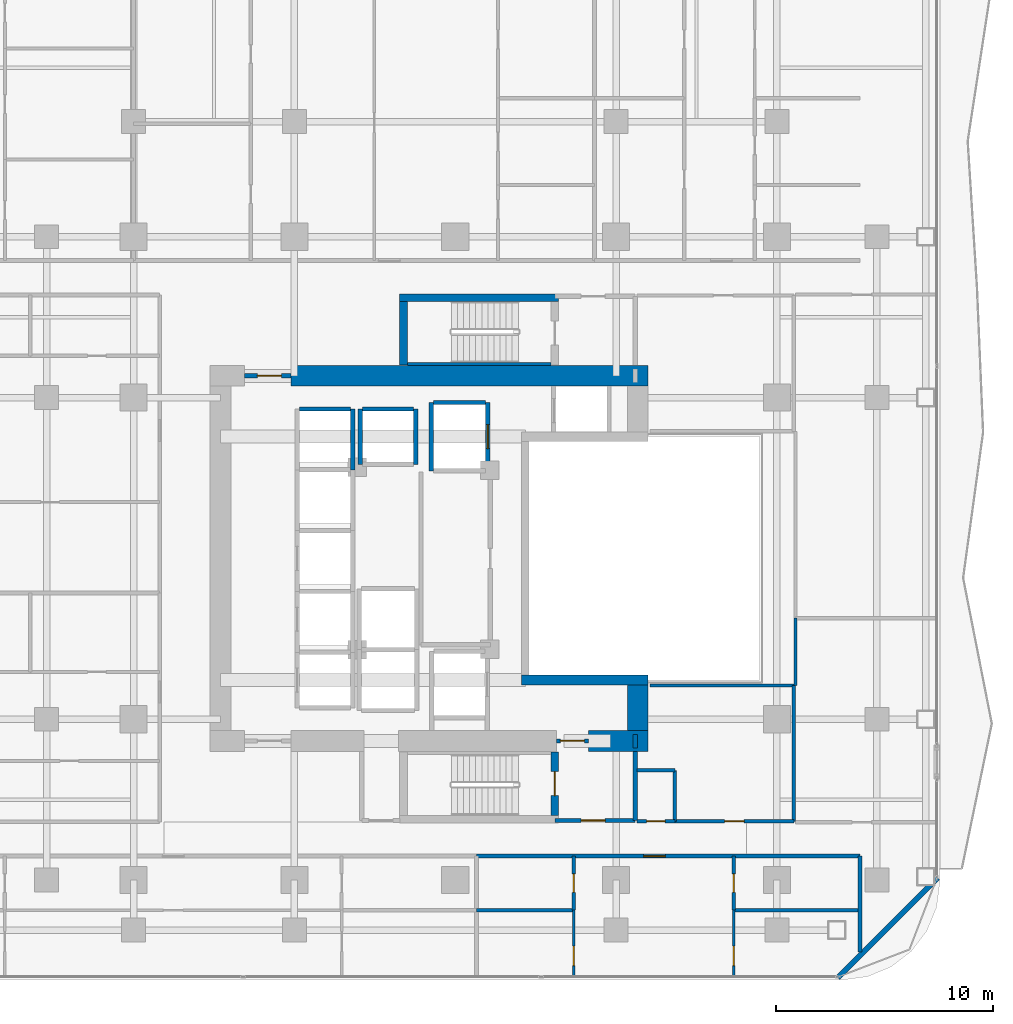
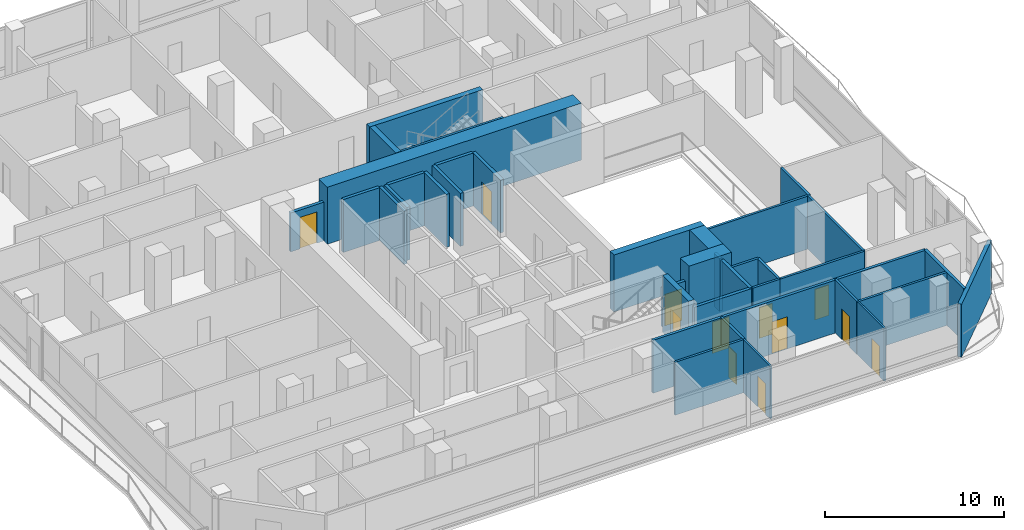
# One storey, part 21 of 28: 37 walls, 12 doors, 12 openings.
"""IFC4 building model written with IfcOpenShell, lengths in metres."""

from ifc_helpers import new_model, si_unit, direction, frame, frame_2d, origin, place, context, subcontext, project, spatial, rectangle, extrude, material, layer, layer_set, type_object, element, fill, save


model = new_model("IFC4")

# Units and contexts
model_context = context("Model", 3, precision=1e-05, world=origin(), true_north=direction((0.0, 1.0)))
body_context = subcontext(model_context, "Body", "Model", "MODEL_VIEW")
ifc_project = project(units=[si_unit("LENGTHUNIT", "METRE"), si_unit("AREAUNIT", "SQUARE_METRE"), si_unit("VOLUMEUNIT", "CUBIC_METRE"), si_unit("PLANEANGLEUNIT", "RADIAN"), si_unit("MASSUNIT", "GRAM", prefix="KILO")], contexts=[model_context])

# Site, building, storey
site_placement = place(None, origin())
site = spatial("IfcSite", under=ifc_project, at=site_placement, CompositionType="ELEMENT")
building_placement = place(site_placement, origin())
building = spatial("IfcBuilding", under=site, at=building_placement, Name="Khorvyn Point Tower", CompositionType="ELEMENT")
storey_placement = place(building_placement, frame((0.0, 0.0, 104.699951171875)))
storey = spatial("IfcBuildingStorey", under=building, at=storey_placement, Name="L26", CompositionType="ELEMENT", Elevation=104.699951171875)

# Wall, opening, door
ifc_material_1 = material(Name="Double acoustic gypsum on twin steel stud", Category="steel")
ifc_layer_1 = layer(ifc_material_1, 0.179931640625)
ifc_layer_set_1 = layer_set([ifc_layer_1], Name="Acoustic Double-Stud Apartment Demising Wall 180")
wall_type_1 = type_object("IfcWallType", Name="Acoustic Double-Stud Apartment Demising Wall 180", PredefinedType="PARTITIONING", material=ifc_layer_set_1)
wall_1_placement = place(storey_placement, frame((0.97412109375, -13.699951171875, 0.0), z_axis=(0.0, 0.0, 1.0), x_axis=(1.0, 0.0, 0.0)))
wall_1 = element("IfcWall", 1, at=wall_1_placement, inside=storey, type_object=wall_type_1, Name="Wall", PredefinedType="PARTITIONING", context=body_context, shape_type="SweptSolid", body=[
    extrude(rectangle(XDim=17.64599609375, YDim=0.179931640625, at=frame_2d((8.822998046875, 0.0))), origin(), (0.0, 0.0, 1.0), 3.6201171875),
])
opening_1_placement = place(wall_1_placement, frame((7.695068359375, 0.0, 0.0)))
opening_1 = element("IfcOpeningElement", 2, at=opening_1_placement, cuts=wall_1, Name="Opening ID-AP60", PredefinedType="OPENING", context=body_context, shape_type="SweptSolid", body=[
    extrude(rectangle(XDim=1.0, YDim=2.199951171875, at=frame_2d((0.5, 1.10009765625))), frame((0.0, 0.099853515625, 0.0), z_axis=(0.0, -1.0, 0.0), x_axis=(1.0, 0.0, 0.0)), (0.0, 0.0, 1.0), 0.199951171875),
])
ifc_material_2 = material(Name="Engineered hardwood fire-rated leaf", Category="wood")
door_type_1 = type_object("IfcDoorType", Name="Acoustic Solid-Core Timber Apartment Entrance Door 1000x2200", OperationType="NOTDEFINED", PredefinedType="DOOR", material=ifc_material_2)
door_1_placement = place(opening_1_placement, origin())
door_1 = element("IfcDoor", 3, at=door_1_placement, inside=storey, type_object=door_type_1, Name="Door", OperationType="SINGLE_SWING_RIGHT", OverallHeight=2.199951171875, OverallWidth=1.0, PredefinedType="DOOR", context=body_context, shape_type="SweptSolid", body=[
    extrude(rectangle(XDim=1.0, YDim=2.199951171875, at=frame_2d((0.5, 1.10009765625))), frame((0.0, 0.02490234375, 0.0), z_axis=(0.0, -1.0, 0.0), x_axis=(1.0, 0.0, 0.0)), (0.0, 0.0, 1.0), 0.050048828125),
])
fill(opening_1, door_1)

# Walls
wall_2_placement = place(storey_placement, frame((18.6201171875, -18.110107421875, 0.0), z_axis=(0.0, 0.0, 1.0), x_axis=(0.0, 1.0, 0.0)))
element("IfcWall", 4, at=wall_2_placement, inside=storey, type_object=wall_type_1, Name="Wall", PredefinedType="PARTITIONING", context=body_context, shape_type="SweptSolid", body=[
    extrude(rectangle(XDim=4.41015625, YDim=0.179931640625, at=frame_2d((2.205078125, 0.0))), origin(), (0.0, 0.0, 1.0), 3.6201171875),
])
ifc_material_3 = material(Name="Pale anodised aluminium rainscreen on steel stud", Category="steel")
ifc_layer_2 = layer(ifc_material_3, 0.239990234375)
ifc_layer_set_2 = layer_set([ifc_layer_2], Name="Anodised Aluminium Insulated Corner Spandrel Wall 240")
wall_type_2 = type_object("IfcWallType", Name="Anodised Aluminium Insulated Corner Spandrel Wall 240", PredefinedType="SOLIDWALL", material=ifc_layer_set_2)
wall_3_placement = place(storey_placement, frame((22.1923828125, -14.70751953125, 0.0), z_axis=(0.0, 0.0, 1.0), x_axis=(-0.707087954376, -0.707125607496, 0.0)))
element("IfcWall", 5, at=wall_3_placement, inside=storey, type_object=wall_type_2, Name="L26 Rounded Corner Wall SE", PredefinedType="SOLIDWALL", context=body_context, shape_type="SweptSolid", body=[
    extrude(rectangle(XDim=6.48388671875, YDim=0.239990234375, at=frame_2d((3.241943359375, 0.0))), origin(), (0.0, 0.0, 1.0), 3.6201171875),
])
ifc_material_4 = material(Name="Concrete C40/50", Category="concrete")
ifc_layer_3 = layer(ifc_material_4, 0.449951171875)
ifc_layer_set_3 = layer_set([ifc_layer_3], Name="Concrete C40/50 Core Shear Wall 450")
wall_type_3 = type_object("IfcWallType", Name="Concrete C40/50 Core Shear Wall 450", PredefinedType="SHEAR", material=ifc_layer_set_3)
wall_4_placement = place(storey_placement, frame((3.044921875, -5.60009765625, 0.0), z_axis=(0.0, 0.0, 1.0), x_axis=(1.0, 0.0, 0.0)))
element("IfcWall", 6, at=wall_4_placement, inside=storey, type_object=wall_type_3, Name="Wall", PredefinedType="SHEAR", context=body_context, shape_type="SweptSolid", body=[
    extrude(rectangle(XDim=5.830078125, YDim=0.449951171875, at=frame_2d((2.9150390625, 0.0))), origin(), (0.0, 0.0, 1.0), 3.900146484375),
])

# Wall, opening, door
ifc_layer_4 = layer(ifc_material_4, 0.199951171875)
ifc_layer_set_4 = layer_set([ifc_layer_4], Name="Concrete C40/50 Fire-Lobby Compartment Wall 200")
wall_type_4 = type_object("IfcWallType", Name="Concrete C40/50 Fire-Lobby Compartment Wall 200", PredefinedType="SOLIDWALL", material=ifc_layer_set_4)
wall_5_placement = place(storey_placement, frame((4.580078125, -12.06005859375, 0.0), z_axis=(0.0, 0.0, 1.0), x_axis=(1.0, 0.0, 0.0)))
wall_5 = element("IfcWall", 7, at=wall_5_placement, inside=storey, type_object=wall_type_4, Name="Wall", PredefinedType="SOLIDWALL", context=body_context, shape_type="SweptSolid", body=[
    extrude(rectangle(XDim=3.699951171875, YDim=0.199951171875, at=frame_2d((1.85009765625, 0.0))), origin(), (0.0, 0.0, 1.0), 3.6201171875),
])
opening_2_placement = place(wall_5_placement, frame((1.21240234375, 0.0, 0.0)))
opening_2 = element("IfcOpeningElement", 8, at=opening_2_placement, cuts=wall_5, Name="Opening ID-FL90", PredefinedType="OPENING", context=body_context, shape_type="SweptSolid", body=[
    extrude(rectangle(XDim=1.10009765625, YDim=2.14990234375, at=frame_2d((0.550048828125, 1.074951171875))), frame((0.0, 0.10986328125, 0.0), z_axis=(0.0, -1.0, 0.0), x_axis=(1.0, 0.0, 0.0)), (0.0, 0.0, 1.0), 0.219970703125),
])
ifc_material_5 = material(Name="Galvanised powder-coated steel", Category="steel")
door_type_2 = type_object("IfcDoorType", Name="Fire-Rated Steel Lobby and Stair Door 1100x2150", OperationType="NOTDEFINED", PredefinedType="DOOR", material=ifc_material_5)
door_2_placement = place(opening_2_placement, origin())
door_2 = element("IfcDoor", 9, at=door_2_placement, inside=storey, type_object=door_type_2, Name="Door", OperationType="SINGLE_SWING_RIGHT", OverallHeight=2.14990234375, OverallWidth=1.10009765625, PredefinedType="DOOR", context=body_context, shape_type="SweptSolid", body=[
    extrude(rectangle(XDim=1.10009765625, YDim=2.14990234375, at=frame_2d((0.550048828125, 1.074951171875))), frame((0.0, 0.02490234375, 0.0), z_axis=(0.0, -1.0, 0.0), x_axis=(1.0, 0.0, 0.0)), (0.0, 0.0, 1.0), 0.050048828125),
])
fill(opening_2, door_2)

wall_6_placement = place(storey_placement, frame((4.64990234375, -8.39990234375, 0.0), z_axis=(0.0, 0.0, 1.0), x_axis=(1.0, 0.0, 0.0)))
wall_6 = element("IfcWall", 10, at=wall_6_placement, inside=storey, type_object=wall_type_4, Name="Wall", PredefinedType="SOLIDWALL", context=body_context, shape_type="SweptSolid", body=[
    extrude(rectangle(XDim=1.47021484375, YDim=0.199951171875, at=frame_2d((0.735107421875, 0.0))), origin(), (0.0, 0.0, 1.0), 2.66015625),
])
opening_3_placement = place(wall_6_placement, frame((0.18505859375, 0.0, 0.0)))
opening_3 = element("IfcOpeningElement", 11, at=opening_3_placement, cuts=wall_6, Name="Opening ID-FL90", PredefinedType="OPENING", context=body_context, shape_type="SweptSolid", body=[
    extrude(rectangle(XDim=1.10009765625, YDim=2.14990234375, at=frame_2d((0.550048828125, 1.074951171875))), frame((0.0, 0.10986328125, 0.0), z_axis=(0.0, -1.0, 0.0), x_axis=(1.0, 0.0, 0.0)), (0.0, 0.0, 1.0), 0.219970703125),
])
door_3_placement = place(opening_3_placement, origin())
door_3 = element("IfcDoor", 12, at=door_3_placement, inside=storey, type_object=door_type_2, Name="Door", OperationType="SINGLE_SWING_LEFT", OverallHeight=2.14990234375, OverallWidth=1.10009765625, PredefinedType="DOOR", context=body_context, shape_type="SweptSolid", body=[
    extrude(rectangle(XDim=1.10009765625, YDim=2.14990234375, at=frame_2d((0.550048828125, 1.074951171875))), frame((0.0, 0.02490234375, 0.0), z_axis=(0.0, -1.0, 0.0), x_axis=(1.0, 0.0, 0.0)), (0.0, 0.0, 1.0), 0.050048828125),
])
fill(opening_3, door_3)

wall_7_placement = place(storey_placement, frame((-9.699951171875, 8.39990234375, 0.0), z_axis=(0.0, 0.0, 1.0), x_axis=(1.0, 0.0, 0.0)))
wall_7 = element("IfcWall", 13, at=wall_7_placement, inside=storey, type_object=wall_type_4, Name="Wall", PredefinedType="SOLIDWALL", context=body_context, shape_type="SweptSolid", body=[
    extrude(rectangle(XDim=2.14990234375, YDim=0.199951171875, at=frame_2d((1.074951171875, 0.0))), origin(), (0.0, 0.0, 1.0), 2.66015625),
])
opening_4_placement = place(wall_7_placement, frame((0.597900390625, 0.0, 0.0)))
opening_4 = element("IfcOpeningElement", 14, at=opening_4_placement, cuts=wall_7, Name="Opening ID-FL90", PredefinedType="OPENING", context=body_context, shape_type="SweptSolid", body=[
    extrude(rectangle(XDim=1.10009765625, YDim=2.14990234375, at=frame_2d((0.550048828125, 1.074951171875))), frame((0.0, 0.10986328125, 0.0), z_axis=(0.0, -1.0, 0.0), x_axis=(1.0, 0.0, 0.0)), (0.0, 0.0, 1.0), 0.219970703125),
])
door_4_placement = place(opening_4_placement, origin())
door_4 = element("IfcDoor", 15, at=door_4_placement, inside=storey, type_object=door_type_2, Name="Door", OperationType="SINGLE_SWING_RIGHT", OverallHeight=2.14990234375, OverallWidth=1.10009765625, PredefinedType="DOOR", context=body_context, shape_type="SweptSolid", body=[
    extrude(rectangle(XDim=1.10009765625, YDim=2.14990234375, at=frame_2d((0.550048828125, 1.074951171875))), frame((0.0, 0.02490234375, 0.0), z_axis=(0.0, -1.0, 0.0), x_axis=(1.0, 0.0, 0.0)), (0.0, 0.0, 1.0), 0.050048828125),
])
fill(opening_4, door_4)

# Walls
wall_8_placement = place(storey_placement, frame((8.280029296875, -12.06005859375, 0.0), z_axis=(0.0, 0.0, 1.0), x_axis=(0.0, 1.0, 0.0)))
element("IfcWall", 16, at=wall_8_placement, inside=storey, type_object=wall_type_4, Name="Wall", PredefinedType="SOLIDWALL", context=body_context, shape_type="SweptSolid", body=[
    extrude(rectangle(XDim=3.18505859375, YDim=0.199951171875, at=frame_2d((1.592529296875, 0.0))), origin(), (0.0, 0.0, 1.0), 3.6201171875),
])
wall_9_placement = place(storey_placement, frame((8.280029296875, -8.72509765625, 0.0), z_axis=(0.0, 0.0, 1.0), x_axis=(0.0, 1.0, 0.0)))
element("IfcWall", 17, at=wall_9_placement, inside=storey, type_object=wall_type_4, Name="Wall", PredefinedType="SOLIDWALL", context=body_context, shape_type="SweptSolid", body=[
    extrude(rectangle(XDim=0.625, YDim=0.199951171875, at=frame_2d((0.3125, 0.0))), origin(), (0.0, 0.0, 1.0), 3.6201171875),
])
ifc_layer_5 = layer(ifc_material_4, 0.25)
ifc_layer_set_5 = layer_set([ifc_layer_5], Name="Concrete C40/50 Stair Inner Cheek Structural Wall 250")
wall_type_5 = type_object("IfcWallType", Name="Concrete C40/50 Stair Inner Cheek Structural Wall 250", PredefinedType="SHEAR", material=ifc_layer_set_5)
wall_10_placement = place(storey_placement, frame((-2.199951171875, 8.949951171875, 0.0), z_axis=(0.0, 0.0, 1.0), x_axis=(1.0, 0.0, 0.0)))
element("IfcWall", 18, at=wall_10_placement, inside=storey, type_object=wall_type_5, Name="Wall", PredefinedType="SHEAR", context=body_context, shape_type="SweptSolid", body=[
    extrude(rectangle(XDim=6.599853515625, YDim=0.14990234375, at=frame_2d((3.2998046875, 0.0))), origin(), (0.0, 0.0, 1.0), 3.900146484375),
])

# Wall, opening, door
ifc_layer_6 = layer(ifc_material_4, 0.35009765625)
ifc_layer_set_6 = layer_set([ifc_layer_6], Name="Concrete C40/50 Stair Shaft Structural Wall 350")
wall_type_6 = type_object("IfcWallType", Name="Concrete C40/50 Stair Shaft Structural Wall 350", PredefinedType="SHEAR", material=ifc_layer_set_6)
wall_11_placement = place(storey_placement, frame((4.580078125, -8.89990234375, 0.0), z_axis=(0.0, 0.0, 1.0), x_axis=(0.0, -1.0, 0.0)))
wall_11 = element("IfcWall", 19, at=wall_11_placement, inside=storey, type_object=wall_type_6, Name="L26 ST-01 East Landing Door Wall", PredefinedType="SHEAR", context=body_context, shape_type="SweptSolid", body=[
    extrude(rectangle(XDim=2.925048828125, YDim=0.35009765625, at=frame_2d((1.46240234375, 0.0))), origin(), (0.0, 0.0, 1.0), 3.900146484375),
])
opening_5_placement = place(wall_11_placement, frame((0.91259765625, 0.0, 0.0)))
opening_5 = element("IfcOpeningElement", 20, at=opening_5_placement, cuts=wall_11, Name="Opening ID-FL90", PredefinedType="OPENING", context=body_context, shape_type="SweptSolid", body=[
    extrude(rectangle(XDim=1.10009765625, YDim=2.14990234375, at=frame_2d((0.550048828125, 1.074951171875))), frame((0.0, 0.18505859375, 0.0), z_axis=(0.0, -1.0, 0.0), x_axis=(1.0, 0.0, 0.0)), (0.0, 0.0, 1.0), 0.3701171875),
])
door_5_placement = place(opening_5_placement, origin())
door_5 = element("IfcDoor", 21, at=door_5_placement, inside=storey, type_object=door_type_2, Name="L26 ST-01 Smokeproof Landing Door", OperationType="SINGLE_SWING_RIGHT", OverallHeight=2.14990234375, OverallWidth=1.10009765625, PredefinedType="DOOR", context=body_context, shape_type="SweptSolid", body=[
    extrude(rectangle(XDim=1.10009765625, YDim=2.14990234375, at=frame_2d((0.550048828125, 1.074951171875))), frame((0.0, 0.02490234375, 0.0), z_axis=(0.0, -1.0, 0.0), x_axis=(1.0, 0.0, 0.0)), (0.0, 0.0, 1.0), 0.050048828125),
])
fill(opening_5, door_5)

# Walls
wall_12_placement = place(storey_placement, frame((-2.554931640625, 12.0, 0.0), z_axis=(0.0, 0.0, 1.0), x_axis=(1.0, 0.0, 0.0)))
element("IfcWall", 22, at=wall_12_placement, inside=storey, type_object=wall_type_6, Name="L26 ST-02 North Shaft Wall", PredefinedType="SHEAR", context=body_context, shape_type="SweptSolid", body=[
    extrude(rectangle(XDim=7.309814453125, YDim=0.35009765625, at=frame_2d((3.65478515625, 0.0))), origin(), (0.0, 0.0, 1.0), 3.900146484375),
])
wall_13_placement = place(storey_placement, frame((-2.3798828125, 8.89990234375, 0.0), z_axis=(0.0, 0.0, 1.0), x_axis=(0.0, 1.0, 0.0)))
element("IfcWall", 23, at=wall_13_placement, inside=storey, type_object=wall_type_6, Name="L26 ST-02 West Shaft Wall", PredefinedType="SHEAR", context=body_context, shape_type="SweptSolid", body=[
    extrude(rectangle(XDim=2.925048828125, YDim=0.35009765625, at=frame_2d((1.46240234375, 0.0))), origin(), (0.0, 0.0, 1.0), 3.900146484375),
])
ifc_layer_7 = layer(ifc_material_4, 0.199951171875)
ifc_layer_set_7 = layer_set([ifc_layer_7], Name="Concrete C40/50 Structural Hoistway and Stair Shaft Wall 200")
wall_type_7 = type_object("IfcWallType", Name="Concrete C40/50 Structural Hoistway and Stair Shaft Wall 200", PredefinedType="SHEAR", material=ifc_layer_set_7)
wall_14_placement = place(storey_placement, frame((-4.72509765625, 4.074951171875, 0.0), z_axis=(0.0, 0.0, 1.0), x_axis=(0.0, 1.0, 0.0)))
element("IfcWall", 24, at=wall_14_placement, inside=storey, type_object=wall_type_7, Name="Wall", PredefinedType="SHEAR", context=body_context, shape_type="SweptSolid", body=[
    extrude(rectangle(XDim=2.800048828125, YDim=0.199951171875, at=frame_2d((1.39990234375, 0.0))), origin(), (0.0, 0.0, 1.0), 3.6201171875),
])
wall_15_placement = place(storey_placement, frame((-7.175048828125, 6.875, 0.0), z_axis=(0.0, 0.0, 1.0), x_axis=(1.0, 0.0, 0.0)))
element("IfcWall", 25, at=wall_15_placement, inside=storey, type_object=wall_type_7, Name="Wall", PredefinedType="SHEAR", context=body_context, shape_type="SweptSolid", body=[
    extrude(rectangle(XDim=2.35009765625, YDim=0.199951171875, at=frame_2d((1.175048828125, 0.0))), origin(), (0.0, 0.0, 1.0), 3.6201171875),
])
for number, where, z_axis, x_axis, name in (
    (26, (-4.375, 4.324951171875, 0.0), (0.0, 0.0, 1.0), (0.0, 1.0, 0.0), "Wall"),
    (27, (-1.824951171875, 4.324951171875, 0.0), (0.0, 0.0, 1.0), (0.0, 1.0, 0.0), "Wall"),
):
    element("IfcWall", number, at=place(storey_placement, frame(where, z_axis=z_axis, x_axis=x_axis)), inside=storey, type_object=wall_type_7, Name=name, PredefinedType="SHEAR", context=body_context, shape_type="SweptSolid", body=[
        extrude(rectangle(XDim=2.550048828125, YDim=0.199951171875, at=frame_2d((1.27490234375, 0.0))), origin(), (0.0, 0.0, 1.0), 3.6201171875),
    ])
wall_16_placement = place(storey_placement, frame((-4.27490234375, 6.875, 0.0), z_axis=(0.0, 0.0, 1.0), x_axis=(1.0, 0.0, 0.0)))
element("IfcWall", 28, at=wall_16_placement, inside=storey, type_object=wall_type_7, Name="Wall", PredefinedType="SHEAR", context=body_context, shape_type="SweptSolid", body=[
    extrude(rectangle(XDim=2.349853515625, YDim=0.199951171875, at=frame_2d((1.1748046875, 0.0))), origin(), (0.0, 0.0, 1.0), 3.6201171875),
])
wall_17_placement = place(storey_placement, frame((-1.10009765625, 4.02490234375, 0.0), z_axis=(0.0, 0.0, 1.0), x_axis=(0.0, 1.0, 0.0)))
element("IfcWall", 29, at=wall_17_placement, inside=storey, type_object=wall_type_7, Name="Wall", PredefinedType="SHEAR", context=body_context, shape_type="SweptSolid", body=[
    extrude(rectangle(XDim=3.150146484375, YDim=0.199951171875, at=frame_2d((1.5751953125, 0.0))), origin(), (0.0, 0.0, 1.0), 3.6201171875),
])

# Wall, opening, door
wall_18_placement = place(storey_placement, frame((1.5, 4.02490234375, 0.0), z_axis=(0.0, 0.0, 1.0), x_axis=(0.0, 1.0, 0.0)))
wall_18 = element("IfcWall", 30, at=wall_18_placement, inside=storey, type_object=wall_type_7, Name="Wall", PredefinedType="SHEAR", context=body_context, shape_type="SweptSolid", body=[
    extrude(rectangle(XDim=3.150146484375, YDim=0.199951171875, at=frame_2d((1.5751953125, 0.0))), origin(), (0.0, 0.0, 1.0), 3.6201171875),
])
opening_6_placement = place(wall_18_placement, frame((1.02490234375, 0.0, 0.0)))
opening_6 = element("IfcOpeningElement", 31, at=opening_6_placement, cuts=wall_18, Name="Opening LD-1122", PredefinedType="OPENING", context=body_context, shape_type="SweptSolid", body=[
    extrude(rectangle(XDim=1.10009765625, YDim=2.199951171875, at=frame_2d((0.550048828125, 1.10009765625))), frame((0.0, 0.10986328125, 0.0), z_axis=(0.0, -1.0, 0.0), x_axis=(1.0, 0.0, 0.0)), (0.0, 0.0, 1.0), 0.219970703125),
])
ifc_material_6 = material(Name="Stainless steel 1.4301", Category="steel")
door_type_3 = type_object("IfcDoorType", Name="Stainless Steel Automatic Sliding Lift Landing Door 1100x2200", OperationType="SLIDING_TO_LEFT", PredefinedType="DOOR", material=ifc_material_6)
door_6_placement = place(opening_6_placement, origin())
door_6 = element("IfcDoor", 32, at=door_6_placement, inside=storey, type_object=door_type_3, Name="L26 SV-01 Sliding Lift Landing Door", OperationType="SLIDING_TO_LEFT", OverallHeight=2.199951171875, OverallWidth=1.10009765625, PredefinedType="DOOR", context=body_context, shape_type="SweptSolid", body=[
    extrude(rectangle(XDim=1.10009765625, YDim=2.199951171875, at=frame_2d((0.550048828125, 1.10009765625))), frame((0.0, 0.02490234375, 0.0), z_axis=(0.0, -1.0, 0.0), x_axis=(1.0, 0.0, 0.0)), (0.0, 0.0, 1.0), 0.050048828125),
])
fill(opening_6, door_6)

# Walls
wall_19_placement = place(storey_placement, frame((-1.0, 7.175048828125, 0.0), z_axis=(0.0, 0.0, 1.0), x_axis=(1.0, 0.0, 0.0)))
element("IfcWall", 33, at=wall_19_placement, inside=storey, type_object=wall_type_7, Name="Wall", PredefinedType="SHEAR", context=body_context, shape_type="SweptSolid", body=[
    extrude(rectangle(XDim=2.39990234375, YDim=0.199951171875, at=frame_2d((1.199951171875, 0.0))), origin(), (0.0, 0.0, 1.0), 3.6201171875),
])
ifc_material_7 = material(Name="Concrete C50/60", Category="concrete")
ifc_layer_8 = layer(ifc_material_7, 0.949951171875)
ifc_layer_set_8 = layer_set([ifc_layer_8], Name="Concrete C50/60 Core Shear Wall 950")
wall_type_8 = type_object("IfcWallType", Name="Concrete C50/60 Core Shear Wall 950", PredefinedType="SHEAR", material=ifc_layer_set_8)
wall_20_placement = place(storey_placement, frame((6.1201171875, -8.39990234375, 0.0), z_axis=(0.0, 0.0, 1.0), x_axis=(1.0, 0.0, 0.0)))
element("IfcWall", 34, at=wall_20_placement, inside=storey, type_object=wall_type_8, Name="Wall", PredefinedType="SHEAR", context=body_context, shape_type="SweptSolid", body=[
    extrude(rectangle(XDim=2.7548828125, YDim=0.949951171875, at=frame_2d((1.37744140625, 0.0))), origin(), (0.0, 0.0, 1.0), 3.900146484375),
])
wall_21_placement = place(storey_placement, frame((-7.550048828125, 8.39990234375, 0.0), z_axis=(0.0, 0.0, 1.0), x_axis=(1.0, 0.0, 0.0)))
element("IfcWall", 35, at=wall_21_placement, inside=storey, type_object=wall_type_8, Name="Wall", PredefinedType="SHEAR", context=body_context, shape_type="SweptSolid", body=[
    extrude(rectangle(XDim=16.425048828125, YDim=0.949951171875, at=frame_2d((8.21240234375, 0.0))), origin(), (0.0, 0.0, 1.0), 3.900146484375),
])
wall_22_placement = place(storey_placement, frame((8.39990234375, -7.925048828125, 0.0), z_axis=(0.0, 0.0, 1.0), x_axis=(0.0, 1.0, 0.0)))
element("IfcWall", 36, at=wall_22_placement, inside=storey, type_object=wall_type_8, Name="Wall", PredefinedType="SHEAR", context=body_context, shape_type="SweptSolid", body=[
    extrude(rectangle(XDim=2.10009765625, YDim=0.949951171875, at=frame_2d((1.050048828125, 0.0))), origin(), (0.0, 0.0, 1.0), 3.900146484375),
])

# Wall, opening, door
ifc_material_8 = material(Name="Gypsum plasterboard on steel stud", Category="steel")
ifc_layer_9 = layer(ifc_material_8, 0.1201171875)
ifc_layer_set_9 = layer_set([ifc_layer_9], Name="Gypsum Acoustic Stud Room Partition Wall 120")
wall_type_9 = type_object("IfcWallType", Name="Gypsum Acoustic Stud Room Partition Wall 120", PredefinedType="PARTITIONING", material=ifc_layer_set_9)
wall_23_placement = place(storey_placement, frame((5.449951171875, -19.22998046875, 0.0), z_axis=(0.0, 0.0, 1.0), x_axis=(0.0, 1.0, 0.0)))
wall_23 = element("IfcWall", 37, at=wall_23_placement, inside=storey, type_object=wall_type_9, Name="Wall", PredefinedType="PARTITIONING", context=body_context, shape_type="SweptSolid", body=[
    extrude(rectangle(XDim=3.0400390625, YDim=0.1201171875, at=frame_2d((1.52001953125, 0.0))), origin(), (0.0, 0.0, 1.0), 3.6201171875),
])
opening_7_placement = place(wall_23_placement, frame((0.490966796875, 0.0, 0.0)))
opening_7 = element("IfcOpeningElement", 38, at=opening_7_placement, cuts=wall_23, Name="Opening ID-RM90", PredefinedType="OPENING", context=body_context, shape_type="SweptSolid", body=[
    extrude(rectangle(XDim=0.89990234375, YDim=2.10009765625, at=frame_2d((0.449951171875, 1.050048828125))), frame((0.0, 0.070068359375, 0.0), z_axis=(0.0, -1.0, 0.0), x_axis=(1.0, 0.0, 0.0)), (0.0, 0.0, 1.0), 0.14013671875),
])
ifc_material_9 = material(Name="Engineered oak veneer timber", Category="wood")
door_type_4 = type_object("IfcDoorType", Name="Flush Engineered Timber Room Door 900x2100", OperationType="NOTDEFINED", PredefinedType="DOOR", material=ifc_material_9)
door_7_placement = place(opening_7_placement, origin())
door_7 = element("IfcDoor", 39, at=door_7_placement, inside=storey, type_object=door_type_4, Name="Door", OperationType="SINGLE_SWING_RIGHT", OverallHeight=2.10009765625, OverallWidth=0.89990234375, PredefinedType="DOOR", context=body_context, shape_type="SweptSolid", body=[
    extrude(rectangle(XDim=0.89990234375, YDim=2.10009765625, at=frame_2d((0.449951171875, 1.050048828125))), frame((0.0, 0.02490234375, 0.0), z_axis=(0.0, -1.0, 0.0), x_axis=(1.0, 0.0, 0.0)), (0.0, 0.0, 1.0), 0.050048828125),
])
fill(opening_7, door_7)

wall_24_placement = place(storey_placement, frame((12.81396484375, -19.22998046875, 0.0), z_axis=(0.0, 0.0, 1.0), x_axis=(0.0, 1.0, 0.0)))
wall_24 = element("IfcWall", 40, at=wall_24_placement, inside=storey, type_object=wall_type_9, Name="Wall", PredefinedType="PARTITIONING", context=body_context, shape_type="SweptSolid", body=[
    extrude(rectangle(XDim=3.0400390625, YDim=0.1201171875, at=frame_2d((1.52001953125, 0.0))), origin(), (0.0, 0.0, 1.0), 3.6201171875),
])
opening_8_placement = place(wall_24_placement, frame((0.490966796875, 0.0, 0.0)))
opening_8 = element("IfcOpeningElement", 41, at=opening_8_placement, cuts=wall_24, Name="Opening ID-RM90", PredefinedType="OPENING", context=body_context, shape_type="SweptSolid", body=[
    extrude(rectangle(XDim=0.89990234375, YDim=2.10009765625, at=frame_2d((0.449951171875, 1.050048828125))), frame((0.0, 0.070068359375, 0.0), z_axis=(0.0, -1.0, 0.0), x_axis=(1.0, 0.0, 0.0)), (0.0, 0.0, 1.0), 0.14013671875),
])
door_8_placement = place(opening_8_placement, origin())
door_8 = element("IfcDoor", 42, at=door_8_placement, inside=storey, type_object=door_type_4, Name="Door", OperationType="SINGLE_SWING_RIGHT", OverallHeight=2.10009765625, OverallWidth=0.89990234375, PredefinedType="DOOR", context=body_context, shape_type="SweptSolid", body=[
    extrude(rectangle(XDim=0.89990234375, YDim=2.10009765625, at=frame_2d((0.449951171875, 1.050048828125))), frame((0.0, 0.02490234375, 0.0), z_axis=(0.0, -1.0, 0.0), x_axis=(1.0, 0.0, 0.0)), (0.0, 0.0, 1.0), 0.050048828125),
])
fill(opening_8, door_8)

ifc_material_10 = material(Name="Moisture-resistant gypsum and cement board", Category="gypsum")
ifc_layer_10 = layer(ifc_material_10, 0.14990234375)
ifc_layer_set_10 = layer_set([ifc_layer_10], Name="Moisture-Resistant Wet-Room Partition Wall 150")
wall_type_10 = type_object("IfcWallType", Name="Moisture-Resistant Wet-Room Partition Wall 150", PredefinedType="PARTITIONING", material=ifc_layer_set_10)
wall_25_placement = place(storey_placement, frame((8.360107421875, -12.10009765625, 0.0), z_axis=(0.0, 0.0, 1.0), x_axis=(1.0, 0.0, 0.0)))
wall_25 = element("IfcWall", 43, at=wall_25_placement, inside=storey, type_object=wall_type_10, Name="Wall", PredefinedType="PARTITIONING", context=body_context, shape_type="SweptSolid", body=[
    extrude(rectangle(XDim=1.739990234375, YDim=0.14990234375, at=frame_2d((0.8701171875, 0.0))), origin(), (0.0, 0.0, 1.0), 3.6201171875),
])
opening_9_placement = place(wall_25_placement, frame((0.445068359375, 0.0, 0.0)))
opening_9 = element("IfcOpeningElement", 44, at=opening_9_placement, cuts=wall_25, Name="Opening ID-WC85", PredefinedType="OPENING", context=body_context, shape_type="SweptSolid", body=[
    extrude(rectangle(XDim=0.85009765625, YDim=2.10009765625, at=frame_2d((0.425048828125, 1.050048828125))), frame((0.0, 0.0849609375, 0.0), z_axis=(0.0, -1.0, 0.0), x_axis=(1.0, 0.0, 0.0)), (0.0, 0.0, 1.0), 0.169921875),
])
ifc_material_11 = material(Name="High-pressure laminate on moisture-resistant core", Category="wood")
door_type_5 = type_object("IfcDoorType", Name="Moisture-Resistant Accessible Washroom Door 850x2100", OperationType="NOTDEFINED", PredefinedType="DOOR", material=ifc_material_11)
door_9_placement = place(opening_9_placement, origin())
door_9 = element("IfcDoor", 45, at=door_9_placement, inside=storey, type_object=door_type_5, Name="Door", OperationType="SINGLE_SWING_LEFT", OverallHeight=2.10009765625, OverallWidth=0.85009765625, PredefinedType="DOOR", context=body_context, shape_type="SweptSolid", body=[
    extrude(rectangle(XDim=0.85009765625, YDim=2.10009765625, at=frame_2d((0.425048828125, 1.050048828125))), frame((0.0, 0.02490234375, 0.0), z_axis=(0.0, -1.0, 0.0), x_axis=(1.0, 0.0, 0.0)), (0.0, 0.0, 1.0), 0.050048828125),
])
fill(opening_9, door_9)

wall_26_placement = place(storey_placement, frame((10.10009765625, -12.10009765625, 0.0), z_axis=(0.0, 0.0, 1.0), x_axis=(1.0, 0.0, 0.0)))
wall_26 = element("IfcWall", 46, at=wall_26_placement, inside=storey, type_object=wall_type_10, Name="Wall", PredefinedType="PARTITIONING", context=body_context, shape_type="SweptSolid", body=[
    extrude(rectangle(XDim=5.47998046875, YDim=0.14990234375, at=frame_2d((2.739990234375, 0.0))), origin(), (0.0, 0.0, 1.0), 3.6201171875),
])
opening_10_placement = place(wall_26_placement, frame((2.2900390625, 0.0, 0.0)))
opening_10 = element("IfcOpeningElement", 47, at=opening_10_placement, cuts=wall_26, Name="Opening ID-RM90", PredefinedType="OPENING", context=body_context, shape_type="SweptSolid", body=[
    extrude(rectangle(XDim=0.89990234375, YDim=2.10009765625, at=frame_2d((0.449951171875, 1.050048828125))), frame((0.0, 0.0849609375, 0.0), z_axis=(0.0, -1.0, 0.0), x_axis=(1.0, 0.0, 0.0)), (0.0, 0.0, 1.0), 0.169921875),
])
door_10_placement = place(opening_10_placement, origin())
door_10 = element("IfcDoor", 48, at=door_10_placement, inside=storey, type_object=door_type_4, Name="Door", OperationType="SINGLE_SWING_RIGHT", OverallHeight=2.10009765625, OverallWidth=0.89990234375, PredefinedType="DOOR", context=body_context, shape_type="SweptSolid", body=[
    extrude(rectangle(XDim=0.89990234375, YDim=2.10009765625, at=frame_2d((0.449951171875, 1.050048828125))), frame((0.0, 0.02490234375, 0.0), z_axis=(0.0, -1.0, 0.0), x_axis=(1.0, 0.0, 0.0)), (0.0, 0.0, 1.0), 0.050048828125),
])
fill(opening_10, door_10)

wall_27_placement = place(storey_placement, frame((5.449951171875, -16.18994140625, 0.0), z_axis=(0.0, 0.0, 1.0), x_axis=(0.0, 1.0, 0.0)))
wall_27 = element("IfcWall", 49, at=wall_27_placement, inside=storey, type_object=wall_type_10, Name="Wall", PredefinedType="PARTITIONING", context=body_context, shape_type="SweptSolid", body=[
    extrude(rectangle(XDim=2.489990234375, YDim=0.14990234375, at=frame_2d((1.2451171875, 0.0))), origin(), (0.0, 0.0, 1.0), 3.6201171875),
])
opening_11_placement = place(wall_27_placement, frame((0.820068359375, 0.0, 0.0)))
opening_11 = element("IfcOpeningElement", 50, at=opening_11_placement, cuts=wall_27, Name="Opening ID-WC85", PredefinedType="OPENING", context=body_context, shape_type="SweptSolid", body=[
    extrude(rectangle(XDim=0.85009765625, YDim=2.10009765625, at=frame_2d((0.425048828125, 1.050048828125))), frame((0.0, 0.0849609375, 0.0), z_axis=(0.0, -1.0, 0.0), x_axis=(1.0, 0.0, 0.0)), (0.0, 0.0, 1.0), 0.169921875),
])
door_11_placement = place(opening_11_placement, origin())
door_11 = element("IfcDoor", 51, at=door_11_placement, inside=storey, type_object=door_type_5, Name="Door", OperationType="SINGLE_SWING_LEFT", OverallHeight=2.10009765625, OverallWidth=0.85009765625, PredefinedType="DOOR", context=body_context, shape_type="SweptSolid", body=[
    extrude(rectangle(XDim=0.85009765625, YDim=2.10009765625, at=frame_2d((0.425048828125, 1.050048828125))), frame((0.0, 0.02490234375, 0.0), z_axis=(0.0, -1.0, 0.0), x_axis=(1.0, 0.0, 0.0)), (0.0, 0.0, 1.0), 0.050048828125),
])
fill(opening_11, door_11)

wall_28_placement = place(storey_placement, frame((12.81396484375, -16.18994140625, 0.0), z_axis=(0.0, 0.0, 1.0), x_axis=(0.0, 1.0, 0.0)))
wall_28 = element("IfcWall", 52, at=wall_28_placement, inside=storey, type_object=wall_type_10, Name="Wall", PredefinedType="PARTITIONING", context=body_context, shape_type="SweptSolid", body=[
    extrude(rectangle(XDim=2.489990234375, YDim=0.14990234375, at=frame_2d((1.2451171875, 0.0))), origin(), (0.0, 0.0, 1.0), 3.6201171875),
])
opening_12_placement = place(wall_28_placement, frame((0.820068359375, 0.0, 0.0)))
opening_12 = element("IfcOpeningElement", 53, at=opening_12_placement, cuts=wall_28, Name="Opening ID-WC85", PredefinedType="OPENING", context=body_context, shape_type="SweptSolid", body=[
    extrude(rectangle(XDim=0.85009765625, YDim=2.10009765625, at=frame_2d((0.425048828125, 1.050048828125))), frame((0.0, 0.0849609375, 0.0), z_axis=(0.0, -1.0, 0.0), x_axis=(1.0, 0.0, 0.0)), (0.0, 0.0, 1.0), 0.169921875),
])
door_12_placement = place(opening_12_placement, origin())
door_12 = element("IfcDoor", 54, at=door_12_placement, inside=storey, type_object=door_type_5, Name="Door", OperationType="SINGLE_SWING_LEFT", OverallHeight=2.10009765625, OverallWidth=0.85009765625, PredefinedType="DOOR", context=body_context, shape_type="SweptSolid", body=[
    extrude(rectangle(XDim=0.85009765625, YDim=2.10009765625, at=frame_2d((0.425048828125, 1.050048828125))), frame((0.0, 0.02490234375, 0.0), z_axis=(0.0, -1.0, 0.0), x_axis=(1.0, 0.0, 0.0)), (0.0, 0.0, 1.0), 0.050048828125),
])
fill(opening_12, door_12)

# Walls
wall_29_placement = place(storey_placement, frame((8.360107421875, -9.75, 0.0), z_axis=(0.0, 0.0, 1.0), x_axis=(1.0, 0.0, 0.0)))
element("IfcWall", 55, at=wall_29_placement, inside=storey, type_object=wall_type_10, Name="Wall", PredefinedType="PARTITIONING", context=body_context, shape_type="SweptSolid", body=[
    extrude(rectangle(XDim=1.739990234375, YDim=0.14990234375, at=frame_2d((0.8701171875, 0.0))), origin(), (0.0, 0.0, 1.0), 3.6201171875),
])
wall_30_placement = place(storey_placement, frame((10.10009765625, -12.10009765625, 0.0), z_axis=(0.0, 0.0, 1.0), x_axis=(0.0, 1.0, 0.0)))
element("IfcWall", 56, at=wall_30_placement, inside=storey, type_object=wall_type_10, Name="Wall", PredefinedType="PARTITIONING", context=body_context, shape_type="SweptSolid", body=[
    extrude(rectangle(XDim=2.35009765625, YDim=0.14990234375, at=frame_2d((1.175048828125, 0.0))), origin(), (0.0, 0.0, 1.0), 3.6201171875),
])
wall_31_placement = place(storey_placement, frame((15.580078125, -12.10009765625, 0.0), z_axis=(0.0, 0.0, 1.0), x_axis=(0.0, 1.0, 0.0)))
element("IfcWall", 57, at=wall_31_placement, inside=storey, type_object=wall_type_10, Name="Wall", PredefinedType="PARTITIONING", context=body_context, shape_type="SweptSolid", body=[
    extrude(rectangle(XDim=6.25, YDim=0.14990234375, at=frame_2d((3.125, 0.0))), origin(), (0.0, 0.0, 1.0), 3.6201171875),
])
wall_32_placement = place(storey_placement, frame((8.9599609375, -5.85009765625, 0.0), z_axis=(0.0, 0.0, 1.0), x_axis=(1.0, 0.0, 0.0)))
element("IfcWall", 58, at=wall_32_placement, inside=storey, type_object=wall_type_10, Name="Wall", PredefinedType="PARTITIONING", context=body_context, shape_type="SweptSolid", body=[
    extrude(rectangle(XDim=6.6201171875, YDim=0.14990234375, at=frame_2d((3.31005859375, 0.0))), origin(), (0.0, 0.0, 1.0), 3.6201171875),
])
wall_33_placement = place(storey_placement, frame((0.97412109375, -16.18994140625, 0.0), z_axis=(0.0, 0.0, 1.0), x_axis=(1.0, 0.0, 0.0)))
element("IfcWall", 59, at=wall_33_placement, inside=storey, type_object=wall_type_10, Name="Wall", PredefinedType="PARTITIONING", context=body_context, shape_type="SweptSolid", body=[
    extrude(rectangle(XDim=4.475830078125, YDim=0.14990234375, at=frame_2d((2.23779296875, 0.0))), origin(), (0.0, 0.0, 1.0), 3.6201171875),
])
wall_34_placement = place(storey_placement, frame((12.81396484375, -16.18994140625, 0.0), z_axis=(0.0, 0.0, 1.0), x_axis=(1.0, 0.0, 0.0)))
element("IfcWall", 60, at=wall_34_placement, inside=storey, type_object=wall_type_10, Name="Wall", PredefinedType="PARTITIONING", context=body_context, shape_type="SweptSolid", body=[
    extrude(rectangle(XDim=5.80615234375, YDim=0.14990234375, at=frame_2d((2.903076171875, 0.0))), origin(), (0.0, 0.0, 1.0), 3.6201171875),
])
wall_35_placement = place(storey_placement, frame((15.64990234375, -5.85009765625, 0.0), z_axis=(0.0, 0.0, 1.0), x_axis=(0.0, 1.0, 0.0)))
element("IfcWall", 61, at=wall_35_placement, inside=storey, type_object=wall_type_10, Name="Wall", PredefinedType="PARTITIONING", context=body_context, shape_type="SweptSolid", body=[
    extrude(rectangle(XDim=3.10009765625, YDim=0.14990234375, at=frame_2d((1.550048828125, 0.0))), origin(), (0.0, 0.0, 1.0), 3.6201171875),
])

save(model, "model.ifc")
